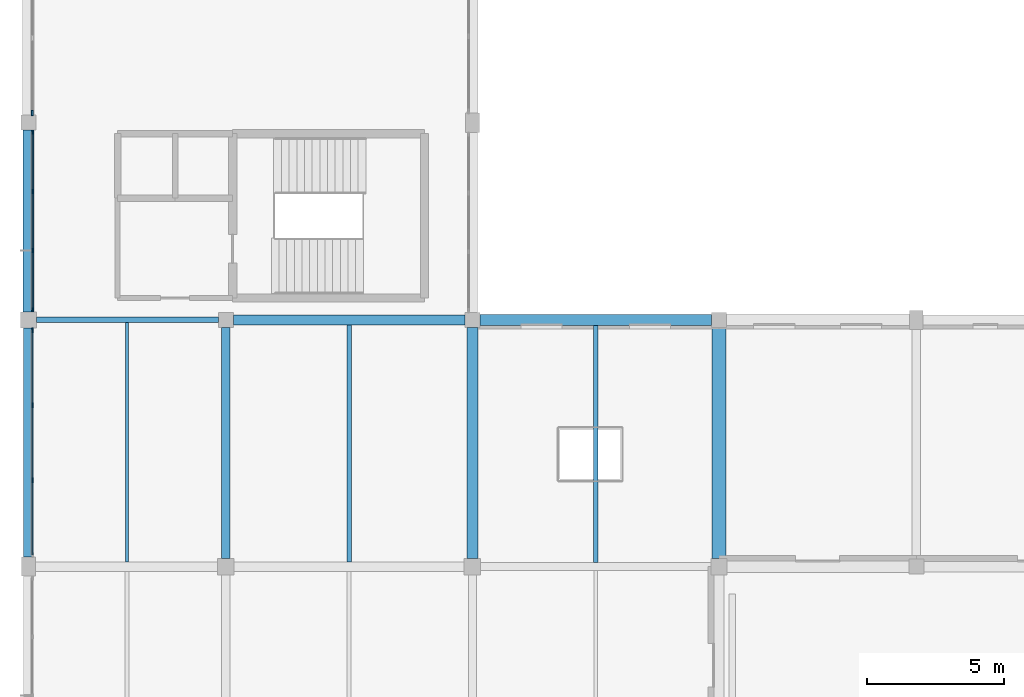
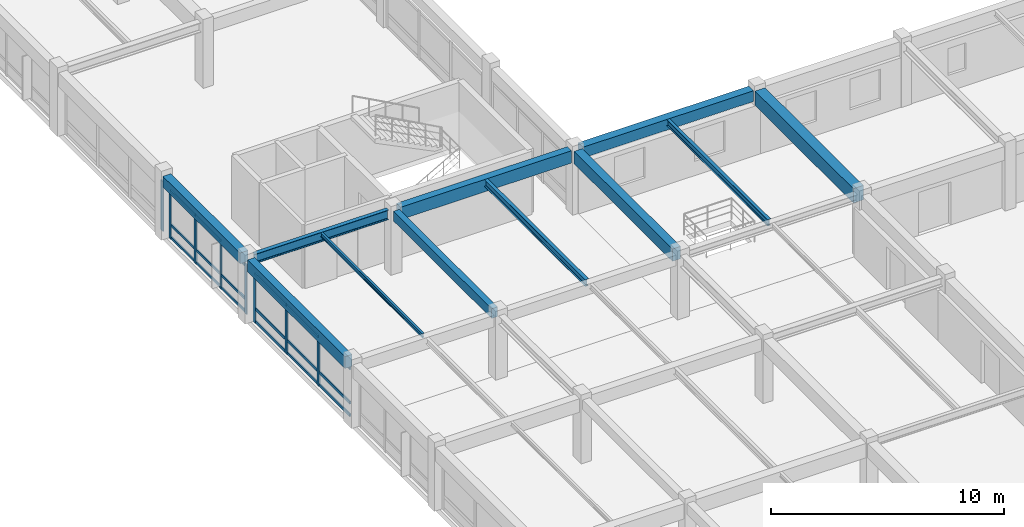
# One storey, part 18 of 74: 26 members, 11 beams, 3 elements without a shape of their own.
"""IFC4 building model written with IfcOpenShell, lengths in metres."""

from ifc_helpers import new_model, si_unit, direction, frame, origin, origin_2d, place, context, subcontext, project, spatial, rectangle, i_section, extrude, material, material_profile, profile_set, type_object, element, aggregate, save


model = new_model("IFC4")

# Units and contexts
model_context = context("Model", 3, precision=1e-05, world=origin(), true_north=direction((0.0, 1.0)))
body_context = subcontext(model_context, "Body", "Model", "MODEL_VIEW")
ifc_project = project(units=[si_unit("LENGTHUNIT", "METRE"), si_unit("AREAUNIT", "SQUARE_METRE"), si_unit("VOLUMEUNIT", "CUBIC_METRE"), si_unit("PLANEANGLEUNIT", "RADIAN"), si_unit("MASSUNIT", "GRAM", prefix="KILO")], contexts=[model_context])

# Site, building, storey
site_placement = place(None, origin())
site = spatial("IfcSite", under=ifc_project, at=site_placement, CompositionType="ELEMENT")
building_placement = place(site_placement, origin())
building = spatial("IfcBuilding", under=site, at=building_placement, Name="Clarverna Civic Hall", CompositionType="ELEMENT")
storey_placement = place(building_placement, frame((0.0, 0.0, 9.60009765625)))
storey = spatial("IfcBuildingStorey", under=building, at=storey_placement, Name="L02", CompositionType="ELEMENT", Elevation=9.60009765625)

# Beams
ifc_material_1 = material(Name="Concrete C35/45", Category="concrete")
ifc_material_profile_1 = material_profile(ifc_material_1, rectangle(XDim=0.300048828125, YDim=0.5, at=origin_2d()), Name="RC 300x500")
ifc_profile_set_1 = profile_set([ifc_material_profile_1], Name="Concrete C35/45")
beam_type_1 = type_object("IfcBeamType", Name="B-RC12", PredefinedType="BEAM", material=ifc_profile_set_1)
beam_1_placement = place(storey_placement, frame((7.199951171875, 62.89990234375, 3.06982421875), z_axis=(0.0, 1.0, 0.0), x_axis=(-1.0, 0.0, 0.0)))
element("IfcBeam", 1, at=beam_1_placement, inside=storey, type_object=beam_type_1, Name="B-RC12-039", PredefinedType="BEAM", context=body_context, shape_type="SweptSolid", body=[
    extrude(rectangle(XDim=0.300048828125, YDim=0.5, at=origin_2d()), origin(), (0.0, 0.0, 1.0), 8.425048828125),
])
ifc_material_profile_2 = material_profile(ifc_material_1, rectangle(XDim=0.5, YDim=0.75, at=origin_2d()), Name="RC 500x750")
ifc_profile_set_2 = profile_set([ifc_material_profile_2], Name="Concrete C35/45")
beam_type_2 = type_object("IfcBeamType", Name="B-RC15", PredefinedType="BEAM", material=ifc_profile_set_2)
beam_2_placement = place(storey_placement, frame((25.199951171875, 62.89990234375, 2.96484375), z_axis=(0.0, 1.0, 0.0), x_axis=(-1.0, 0.0, 0.0)))
element("IfcBeam", 2, at=beam_2_placement, inside=storey, type_object=beam_type_2, Name="B-RC15-039", PredefinedType="BEAM", context=body_context, shape_type="SweptSolid", body=[
    extrude(rectangle(XDim=0.5, YDim=0.75, at=origin_2d()), origin(), (0.0, 0.0, 1.0), 8.425048828125),
])
ifc_material_profile_3 = material_profile(ifc_material_1, rectangle(XDim=0.35009765625, YDim=0.64990234375, at=origin_2d()), Name="RC 350x650")
ifc_profile_set_3 = profile_set([ifc_material_profile_3], Name="Concrete C35/45")
beam_type_3 = type_object("IfcBeamType", Name="B-RC17", PredefinedType="BEAM", material=ifc_profile_set_3)
beam_3_placement = place(storey_placement, frame((7.47509765625, 71.60009765625, 2.994873046875), z_axis=(1.0, 0.0, 0.0), x_axis=(0.0, 1.0, 0.0)))
element("IfcBeam", 3, at=beam_3_placement, inside=storey, type_object=beam_type_3, Name="B-RC17-028", PredefinedType="BEAM", context=body_context, shape_type="SweptSolid", body=[
    extrude(rectangle(XDim=0.35009765625, YDim=0.64990234375, at=origin_2d()), origin(), (0.0, 0.0, 1.0), 8.449951171875),
])
ifc_material_profile_4 = material_profile(ifc_material_1, rectangle(XDim=0.39990234375, YDim=0.64990234375, at=origin_2d()), Name="RC 400x650")
ifc_profile_set_4 = profile_set([ifc_material_profile_4], Name="Concrete C35/45")
beam_type_4 = type_object("IfcBeamType", Name="B-RC6", PredefinedType="BEAM", material=ifc_profile_set_4)
beam_4_placement = place(storey_placement, frame((16.199951171875, 62.89990234375, 2.994873046875), z_axis=(0.0, 1.0, 0.0), x_axis=(-1.0, 0.0, 0.0)))
element("IfcBeam", 4, at=beam_4_placement, inside=storey, type_object=beam_type_4, Name="B-RC6-040", PredefinedType="BEAM", context=body_context, shape_type="SweptSolid", body=[
    extrude(rectangle(XDim=0.39990234375, YDim=0.64990234375, at=origin_2d()), origin(), (0.0, 0.0, 1.0), 8.425048828125),
])
ifc_material_profile_5 = material_profile(ifc_material_1, rectangle(XDim=0.360107421875, YDim=0.6201171875, at=origin_2d()), Name="RC 360x620")
ifc_profile_set_5 = profile_set([ifc_material_profile_5], Name="Concrete C35/45")
beam_type_5 = type_object("IfcBeamType", Name="B-SP3", PredefinedType="SPANDREL", material=ifc_profile_set_5)
beam_5_placement = place(storey_placement, frame((0.0, 62.949951171875, 3.010009765625), z_axis=(0.0, 1.0, 0.0), x_axis=(-1.0, 0.0, 0.0)))
element("IfcBeam", 5, at=beam_5_placement, inside=storey, type_object=beam_type_5, Name="B-SP3-097", PredefinedType="SPANDREL", context=body_context, shape_type="SweptSolid", body=[
    extrude(rectangle(XDim=0.360107421875, YDim=0.6201171875, at=origin_2d()), origin(), (0.0, 0.0, 1.0), 8.35009765625),
])
ifc_material_profile_6 = material_profile(ifc_material_1, rectangle(XDim=0.39990234375, YDim=0.56005859375, at=origin_2d()), Name="RC 400x560")
ifc_profile_set_6 = profile_set([ifc_material_profile_6], Name="Concrete C35/45")
beam_type_6 = type_object("IfcBeamType", Name="B-SP4", PredefinedType="SPANDREL", material=ifc_profile_set_6)
beam_6_placement = place(storey_placement, frame((16.47509765625, 71.60009765625, 3.039794921875), z_axis=(1.0, 0.0, 0.0), x_axis=(0.0, 1.0, 0.0)))
element("IfcBeam", 6, at=beam_6_placement, inside=storey, type_object=beam_type_6, Name="B-SP4-084", PredefinedType="SPANDREL", context=body_context, shape_type="SweptSolid", body=[
    extrude(rectangle(XDim=0.39990234375, YDim=0.56005859375, at=origin_2d()), origin(), (0.0, 0.0, 1.0), 8.449951171875),
])
beam_7_placement = place(storey_placement, frame((0.0, 71.89990234375, 3.039794921875), z_axis=(0.0, 1.0, 0.0), x_axis=(-1.0, 0.0, 0.0)))
element("IfcBeam", 7, at=beam_7_placement, inside=storey, type_object=beam_type_6, Name="B-SP4-096", PredefinedType="SPANDREL", context=body_context, shape_type="SweptSolid", body=[
    extrude(rectangle(XDim=0.39990234375, YDim=0.56005859375, at=origin_2d()), origin(), (0.0, 0.0, 1.0), 6.625),
])
ifc_material_2 = material(Name="Steel S355", Category="steel")
ifc_material_profile_7 = material_profile(ifc_material_2, i_section(OverallWidth=0.199951171875, OverallDepth=0.5, WebThickness=0.01025390625, FlangeThickness=0.01611328125, FilletRadius=0.02099609375, at=origin_2d()), Name="IPE 500")
ifc_profile_set_7 = profile_set([ifc_material_profile_7], Name="Steel S355")
beam_type_7 = type_object("IfcBeamType", Name="B-ST12", PredefinedType="BEAM", material=ifc_profile_set_7)
beam_8_placement = place(storey_placement, frame((0.300048828125, 71.60009765625, 3.06982421875), z_axis=(1.0, 0.0, 0.0), x_axis=(0.0, 1.0, 0.0)))
element("IfcBeam", 8, at=beam_8_placement, inside=storey, type_object=beam_type_7, Name="B-ST12-009", PredefinedType="BEAM", context=body_context, shape_type="SweptSolid", body=[
    extrude(i_section(OverallWidth=0.199951171875, OverallDepth=0.5, WebThickness=0.01025390625, FlangeThickness=0.01611328125, FilletRadius=0.02099609375, at=origin_2d()), origin(), (0.0, 0.0, 1.0), 6.625),
])

# Curtain wall, members
ifc_material_3 = material(Name="Anodised Bronze Architectural Aluminium", Category="aluminium")
curtain_wall_type = type_object("IfcCurtainWallType", Name="CW-01", PredefinedType="USERDEFINED", material=ifc_material_3)
curtain_wall_1_placement = place(storey_placement, origin())
curtain_wall_1 = element("IfcCurtainWall", 9, at=curtain_wall_1_placement, inside=storey, type_object=curtain_wall_type, Name="CW-01-023", ObjectType="UNITISED CURTAIN WALL", PredefinedType="USERDEFINED")
ifc_material_profile_8 = material_profile(ifc_material_3, rectangle(XDim=0.06005859375, YDim=0.179931640625, at=origin_2d()), Name="BRONZE 60x180")
ifc_profile_set_8 = profile_set([ifc_material_profile_8], Name="Anodised Bronze Architectural Aluminium")
member_type_1 = type_object("IfcMemberType", Name="CWM-01", PredefinedType="MULLION", material=ifc_profile_set_8)
member_1_placement = place(storey_placement, frame((0.139892578125, 65.7578125, 0.0), z_axis=(0.0, 0.0, 1.0), x_axis=(1.0, 0.0, 0.0)))
member_1 = element("IfcMember", 10, at=member_1_placement, type_object=member_type_1, Name="CWM-01-075", PredefinedType="MULLION", context=body_context, shape_type="SweptSolid", body=[
    extrude(rectangle(XDim=0.06005859375, YDim=0.179931640625, at=origin_2d()), origin(), (0.0, 0.0, 1.0), 2.639892578125),
])
member_2_placement = place(storey_placement, frame((0.139892578125, 68.4921875, 0.0), z_axis=(0.0, 0.0, 1.0), x_axis=(1.0, 0.0, 0.0)))
member_2 = element("IfcMember", 11, at=member_2_placement, type_object=member_type_1, Name="CWM-01-076", PredefinedType="MULLION", context=body_context, shape_type="SweptSolid", body=[
    extrude(rectangle(XDim=0.06005859375, YDim=0.179931640625, at=origin_2d()), origin(), (0.0, 0.0, 1.0), 2.639892578125),
])
member_3_placement = place(storey_placement, frame((0.139892578125, 71.22705078125, 0.0), z_axis=(0.0, 0.0, 1.0), x_axis=(1.0, 0.0, 0.0)))
member_3 = element("IfcMember", 12, at=member_3_placement, type_object=member_type_1, Name="CWM-01-077", PredefinedType="MULLION", context=body_context, shape_type="SweptSolid", body=[
    extrude(rectangle(XDim=0.06005859375, YDim=0.179931640625, at=origin_2d()), origin(), (0.0, 0.0, 1.0), 2.639892578125),
])

curtain_wall_2_placement = place(storey_placement, origin())
curtain_wall_2 = element("IfcCurtainWall", 13, at=curtain_wall_2_placement, inside=storey, type_object=curtain_wall_type, Name="CW-01-024", ObjectType="UNITISED CURTAIN WALL", PredefinedType="USERDEFINED")
ifc_material_profile_9 = material_profile(ifc_material_3, rectangle(XDim=0.06005859375, YDim=0.159912109375, at=origin_2d()), Name="BRONZE 60x160")
ifc_profile_set_9 = profile_set([ifc_material_profile_9], Name="Anodised Bronze Architectural Aluminium")
member_type_2 = type_object("IfcMemberType", Name="CWM-02", PredefinedType="MULLION", material=ifc_profile_set_9)
member_4_placement = place(storey_placement, frame((0.139892578125, 71.972900390625, 0.0), z_axis=(0.0, 0.0, 1.0), x_axis=(1.0, 0.0, 0.0)))
member_4 = element("IfcMember", 14, at=member_4_placement, type_object=member_type_2, Name="CWM-02-087", PredefinedType="MULLION", context=body_context, shape_type="SweptSolid", body=[
    extrude(rectangle(XDim=0.06005859375, YDim=0.159912109375, at=origin_2d()), origin(), (0.0, 0.0, 1.0), 2.599853515625),
])
member_5_placement = place(storey_placement, frame((0.139892578125, 74.1328125, 0.0), z_axis=(0.0, 0.0, 1.0), x_axis=(1.0, 0.0, 0.0)))
member_5 = element("IfcMember", 15, at=member_5_placement, type_object=member_type_2, Name="CWM-02-088", PredefinedType="MULLION", context=body_context, shape_type="SweptSolid", body=[
    extrude(rectangle(XDim=0.06005859375, YDim=0.159912109375, at=origin_2d()), origin(), (0.0, 0.0, 1.0), 2.599853515625),
])
member_6_placement = place(storey_placement, frame((0.139892578125, 76.292236328125, 0.0), z_axis=(0.0, 0.0, 1.0), x_axis=(1.0, 0.0, 0.0)))
member_6 = element("IfcMember", 16, at=member_6_placement, type_object=member_type_2, Name="CWM-02-089", PredefinedType="MULLION", context=body_context, shape_type="SweptSolid", body=[
    extrude(rectangle(XDim=0.06005859375, YDim=0.159912109375, at=origin_2d()), origin(), (0.0, 0.0, 1.0), 2.599853515625),
])
member_7_placement = place(storey_placement, frame((0.139892578125, 78.451904296875, 0.0), z_axis=(0.0, 0.0, 1.0), x_axis=(1.0, 0.0, 0.0)))
member_7 = element("IfcMember", 17, at=member_7_placement, type_object=member_type_2, Name="CWM-02-090", PredefinedType="MULLION", context=body_context, shape_type="SweptSolid", body=[
    extrude(rectangle(XDim=0.06005859375, YDim=0.159912109375, at=origin_2d()), origin(), (0.0, 0.0, 1.0), 2.599853515625),
])

# Curtain wall, member
curtain_wall_3_placement = place(storey_placement, origin())
curtain_wall_3 = element("IfcCurtainWall", 18, at=curtain_wall_3_placement, inside=storey, type_object=curtain_wall_type, Name="CW-01-025", ObjectType="UNITISED CURTAIN WALL", PredefinedType="USERDEFINED")
ifc_material_profile_10 = material_profile(ifc_material_3, rectangle(XDim=0.06494140625, YDim=0.199951171875, at=origin_2d()), Name="BRONZE 65x200")
ifc_profile_set_10 = profile_set([ifc_material_profile_10], Name="Anodised Bronze Architectural Aluminium")
member_type_3 = type_object("IfcMemberType", Name="CWM-03", PredefinedType="MULLION", material=ifc_profile_set_10)
member_8_placement = place(storey_placement, frame((0.139892578125, 79.14794921875, 0.0), z_axis=(0.0, 0.0, 1.0), x_axis=(1.0, 0.0, 0.0)))
member_8 = element("IfcMember", 19, at=member_8_placement, type_object=member_type_3, Name="CWM-03-075", PredefinedType="MULLION", context=body_context, shape_type="SweptSolid", body=[
    extrude(rectangle(XDim=0.06494140625, YDim=0.199951171875, at=origin_2d()), origin(), (0.0, 0.0, 1.0), 2.599853515625),
])
aggregate(curtain_wall_3, [member_8])

# Member
ifc_material_profile_11 = material_profile(ifc_material_3, rectangle(XDim=0.06005859375, YDim=0.14990234375, at=origin_2d()), Name="BRONZE 60x150")
ifc_profile_set_11 = profile_set([ifc_material_profile_11], Name="Anodised Bronze Architectural Aluminium")
member_type_4 = type_object("IfcMemberType", Name="CWT-01", PredefinedType="USERDEFINED", material=ifc_profile_set_11)
member_9_placement = place(storey_placement, frame((0.139892578125, 63.0380859375, 0.094970703125), z_axis=(0.0, 1.0, 0.0), x_axis=(-1.0, 0.0, 0.0)))
member_9 = element("IfcMember", 20, at=member_9_placement, type_object=member_type_4, Name="CWT-01-154", ObjectType="TRANSOM", PredefinedType="USERDEFINED", context=body_context, shape_type="SweptSolid", body=[
    extrude(rectangle(XDim=0.06005859375, YDim=0.14990234375, at=origin_2d()), origin(), (0.0, 0.0, 1.0), 2.70458984375),
])

member_10_placement = place(storey_placement, frame((0.139892578125, 63.0380859375, 0.75), z_axis=(0.0, 1.0, 0.0), x_axis=(-1.0, 0.0, 0.0)))
member_10 = element("IfcMember", 21, at=member_10_placement, type_object=member_type_4, Name="CWT-01-155", ObjectType="TRANSOM", PredefinedType="USERDEFINED", context=body_context, shape_type="SweptSolid", body=[
    extrude(rectangle(XDim=0.06005859375, YDim=0.14990234375, at=origin_2d()), origin(), (0.0, 0.0, 1.0), 2.70458984375),
])

member_11_placement = place(storey_placement, frame((0.139892578125, 63.0380859375, 2.544921875), z_axis=(0.0, 1.0, 0.0), x_axis=(-1.0, 0.0, 0.0)))
member_11 = element("IfcMember", 22, at=member_11_placement, type_object=member_type_4, Name="CWT-01-156", ObjectType="TRANSOM", PredefinedType="USERDEFINED", context=body_context, shape_type="SweptSolid", body=[
    extrude(rectangle(XDim=0.06005859375, YDim=0.14990234375, at=origin_2d()), origin(), (0.0, 0.0, 1.0), 2.70458984375),
])

member_12_placement = place(storey_placement, frame((0.139892578125, 65.772705078125, 0.094970703125), z_axis=(0.0, 1.0, 0.0), x_axis=(-1.0, 0.0, 0.0)))
member_12 = element("IfcMember", 23, at=member_12_placement, type_object=member_type_4, Name="CWT-01-157", ObjectType="TRANSOM", PredefinedType="USERDEFINED", context=body_context, shape_type="SweptSolid", body=[
    extrude(rectangle(XDim=0.06005859375, YDim=0.14990234375, at=origin_2d()), origin(), (0.0, 0.0, 1.0), 2.70458984375),
])

member_13_placement = place(storey_placement, frame((0.139892578125, 65.772705078125, 0.75), z_axis=(0.0, 1.0, 0.0), x_axis=(-1.0, 0.0, 0.0)))
member_13 = element("IfcMember", 24, at=member_13_placement, type_object=member_type_4, Name="CWT-01-158", ObjectType="TRANSOM", PredefinedType="USERDEFINED", context=body_context, shape_type="SweptSolid", body=[
    extrude(rectangle(XDim=0.06005859375, YDim=0.14990234375, at=origin_2d()), origin(), (0.0, 0.0, 1.0), 2.70458984375),
])

member_14_placement = place(storey_placement, frame((0.139892578125, 65.772705078125, 2.544921875), z_axis=(0.0, 1.0, 0.0), x_axis=(-1.0, 0.0, 0.0)))
member_14 = element("IfcMember", 25, at=member_14_placement, type_object=member_type_4, Name="CWT-01-159", ObjectType="TRANSOM", PredefinedType="USERDEFINED", context=body_context, shape_type="SweptSolid", body=[
    extrude(rectangle(XDim=0.06005859375, YDim=0.14990234375, at=origin_2d()), origin(), (0.0, 0.0, 1.0), 2.70458984375),
])

member_15_placement = place(storey_placement, frame((0.139892578125, 68.50732421875, 0.094970703125), z_axis=(0.0, 1.0, 0.0), x_axis=(-1.0, 0.0, 0.0)))
member_15 = element("IfcMember", 26, at=member_15_placement, type_object=member_type_4, Name="CWT-01-160", ObjectType="TRANSOM", PredefinedType="USERDEFINED", context=body_context, shape_type="SweptSolid", body=[
    extrude(rectangle(XDim=0.06005859375, YDim=0.14990234375, at=origin_2d()), origin(), (0.0, 0.0, 1.0), 2.70458984375),
])

member_16_placement = place(storey_placement, frame((0.139892578125, 68.50732421875, 0.75), z_axis=(0.0, 1.0, 0.0), x_axis=(-1.0, 0.0, 0.0)))
member_16 = element("IfcMember", 27, at=member_16_placement, type_object=member_type_4, Name="CWT-01-161", ObjectType="TRANSOM", PredefinedType="USERDEFINED", context=body_context, shape_type="SweptSolid", body=[
    extrude(rectangle(XDim=0.06005859375, YDim=0.14990234375, at=origin_2d()), origin(), (0.0, 0.0, 1.0), 2.70458984375),
])

member_17_placement = place(storey_placement, frame((0.139892578125, 68.50732421875, 2.544921875), z_axis=(0.0, 1.0, 0.0), x_axis=(-1.0, 0.0, 0.0)))
member_17 = element("IfcMember", 28, at=member_17_placement, type_object=member_type_4, Name="CWT-01-162", ObjectType="TRANSOM", PredefinedType="USERDEFINED", context=body_context, shape_type="SweptSolid", body=[
    extrude(rectangle(XDim=0.06005859375, YDim=0.14990234375, at=origin_2d()), origin(), (0.0, 0.0, 1.0), 2.70458984375),
])

aggregate(curtain_wall_1, [member_1, member_2, member_3, member_9, member_10, member_11, member_12, member_13, member_14, member_15, member_16, member_17])

ifc_material_profile_12 = material_profile(ifc_material_3, rectangle(XDim=0.06005859375, YDim=0.1298828125, at=origin_2d()), Name="BRONZE 60x130")
ifc_profile_set_12 = profile_set([ifc_material_profile_12], Name="Anodised Bronze Architectural Aluminium")
member_type_5 = type_object("IfcMemberType", Name="CWT-02", PredefinedType="USERDEFINED", material=ifc_profile_set_12)
member_18_placement = place(storey_placement, frame((0.139892578125, 71.988037109375, 0.094970703125), z_axis=(0.0, 1.0, 0.0), x_axis=(-1.0, 0.0, 0.0)))
member_18 = element("IfcMember", 29, at=member_18_placement, type_object=member_type_5, Name="CWT-02-181", ObjectType="TRANSOM", PredefinedType="USERDEFINED", context=body_context, shape_type="SweptSolid", body=[
    extrude(rectangle(XDim=0.06005859375, YDim=0.1298828125, at=origin_2d()), origin(), (0.0, 0.0, 1.0), 2.129638671875),
])

member_19_placement = place(storey_placement, frame((0.139892578125, 71.988037109375, 0.75), z_axis=(0.0, 1.0, 0.0), x_axis=(-1.0, 0.0, 0.0)))
member_19 = element("IfcMember", 30, at=member_19_placement, type_object=member_type_5, Name="CWT-02-182", ObjectType="TRANSOM", PredefinedType="USERDEFINED", context=body_context, shape_type="SweptSolid", body=[
    extrude(rectangle(XDim=0.06005859375, YDim=0.1298828125, at=origin_2d()), origin(), (0.0, 0.0, 1.0), 2.129638671875),
])

member_20_placement = place(storey_placement, frame((0.139892578125, 71.988037109375, 2.5048828125), z_axis=(0.0, 1.0, 0.0), x_axis=(-1.0, 0.0, 0.0)))
member_20 = element("IfcMember", 31, at=member_20_placement, type_object=member_type_5, Name="CWT-02-183", ObjectType="TRANSOM", PredefinedType="USERDEFINED", context=body_context, shape_type="SweptSolid", body=[
    extrude(rectangle(XDim=0.06005859375, YDim=0.1298828125, at=origin_2d()), origin(), (0.0, 0.0, 1.0), 2.129638671875),
])

member_21_placement = place(storey_placement, frame((0.139892578125, 74.147705078125, 0.094970703125), z_axis=(0.0, 1.0, 0.0), x_axis=(-1.0, 0.0, 0.0)))
member_21 = element("IfcMember", 32, at=member_21_placement, type_object=member_type_5, Name="CWT-02-184", ObjectType="TRANSOM", PredefinedType="USERDEFINED", context=body_context, shape_type="SweptSolid", body=[
    extrude(rectangle(XDim=0.06005859375, YDim=0.1298828125, at=origin_2d()), origin(), (0.0, 0.0, 1.0), 2.129638671875),
])

member_22_placement = place(storey_placement, frame((0.139892578125, 74.147705078125, 0.75), z_axis=(0.0, 1.0, 0.0), x_axis=(-1.0, 0.0, 0.0)))
member_22 = element("IfcMember", 33, at=member_22_placement, type_object=member_type_5, Name="CWT-02-185", ObjectType="TRANSOM", PredefinedType="USERDEFINED", context=body_context, shape_type="SweptSolid", body=[
    extrude(rectangle(XDim=0.06005859375, YDim=0.1298828125, at=origin_2d()), origin(), (0.0, 0.0, 1.0), 2.129638671875),
])

member_23_placement = place(storey_placement, frame((0.139892578125, 74.147705078125, 2.5048828125), z_axis=(0.0, 1.0, 0.0), x_axis=(-1.0, 0.0, 0.0)))
member_23 = element("IfcMember", 34, at=member_23_placement, type_object=member_type_5, Name="CWT-02-186", ObjectType="TRANSOM", PredefinedType="USERDEFINED", context=body_context, shape_type="SweptSolid", body=[
    extrude(rectangle(XDim=0.06005859375, YDim=0.1298828125, at=origin_2d()), origin(), (0.0, 0.0, 1.0), 2.129638671875),
])

member_24_placement = place(storey_placement, frame((0.139892578125, 76.307373046875, 0.094970703125), z_axis=(0.0, 1.0, 0.0), x_axis=(-1.0, 0.0, 0.0)))
member_24 = element("IfcMember", 35, at=member_24_placement, type_object=member_type_5, Name="CWT-02-187", ObjectType="TRANSOM", PredefinedType="USERDEFINED", context=body_context, shape_type="SweptSolid", body=[
    extrude(rectangle(XDim=0.06005859375, YDim=0.1298828125, at=origin_2d()), origin(), (0.0, 0.0, 1.0), 2.129638671875),
])

member_25_placement = place(storey_placement, frame((0.139892578125, 76.307373046875, 0.75), z_axis=(0.0, 1.0, 0.0), x_axis=(-1.0, 0.0, 0.0)))
member_25 = element("IfcMember", 36, at=member_25_placement, type_object=member_type_5, Name="CWT-02-188", ObjectType="TRANSOM", PredefinedType="USERDEFINED", context=body_context, shape_type="SweptSolid", body=[
    extrude(rectangle(XDim=0.06005859375, YDim=0.1298828125, at=origin_2d()), origin(), (0.0, 0.0, 1.0), 2.129638671875),
])

member_26_placement = place(storey_placement, frame((0.139892578125, 76.307373046875, 2.5048828125), z_axis=(0.0, 1.0, 0.0), x_axis=(-1.0, 0.0, 0.0)))
member_26 = element("IfcMember", 37, at=member_26_placement, type_object=member_type_5, Name="CWT-02-189", ObjectType="TRANSOM", PredefinedType="USERDEFINED", context=body_context, shape_type="SweptSolid", body=[
    extrude(rectangle(XDim=0.06005859375, YDim=0.1298828125, at=origin_2d()), origin(), (0.0, 0.0, 1.0), 2.129638671875),
])

aggregate(curtain_wall_2, [member_4, member_5, member_6, member_7, member_18, member_19, member_20, member_21, member_22, member_23, member_24, member_25, member_26])

# Beams
ifc_material_profile_13 = material_profile(ifc_material_2, i_section(OverallWidth=0.169921875, OverallDepth=0.360107421875, WebThickness=0.008056640625, FlangeThickness=0.0126953125, FilletRadius=0.01806640625, at=origin_2d()), Name="IPE 360")
ifc_profile_set_13 = profile_set([ifc_material_profile_13], Name="Steel S355")
beam_type_8 = type_object("IfcBeamType", Name="J-ST1", PredefinedType="JOIST", material=ifc_profile_set_13)
beam_9_placement = place(storey_placement, frame((11.699951171875, 62.77490234375, 3.139892578125), z_axis=(0.0, 1.0, 0.0), x_axis=(-1.0, 0.0, 0.0)))
element("IfcBeam", 38, at=beam_9_placement, inside=storey, type_object=beam_type_8, Name="J-ST1-052", PredefinedType="JOIST", context=body_context, shape_type="SweptSolid", body=[
    extrude(i_section(OverallWidth=0.169921875, OverallDepth=0.360107421875, WebThickness=0.008056640625, FlangeThickness=0.0126953125, FilletRadius=0.01806640625, at=origin_2d()), origin(), (0.0, 0.0, 1.0), 8.650146484375),
])
ifc_material_profile_14 = material_profile(ifc_material_2, i_section(OverallWidth=0.159912109375, OverallDepth=0.330078125, WebThickness=0.007568359375, FlangeThickness=0.011474609375, FilletRadius=0.01806640625, at=origin_2d()), Name="IPE 330")
ifc_profile_set_14 = profile_set([ifc_material_profile_14], Name="Steel S355")
beam_type_9 = type_object("IfcBeamType", Name="J-ST2", PredefinedType="JOIST", material=ifc_profile_set_14)
beam_10_placement = place(storey_placement, frame((20.699951171875, 62.75, 3.15478515625), z_axis=(0.0, 1.0, 0.0), x_axis=(-1.0, 0.0, 0.0)))
element("IfcBeam", 39, at=beam_10_placement, inside=storey, type_object=beam_type_9, Name="J-ST2-052", PredefinedType="JOIST", context=body_context, shape_type="SweptSolid", body=[
    extrude(i_section(OverallWidth=0.159912109375, OverallDepth=0.330078125, WebThickness=0.007568359375, FlangeThickness=0.011474609375, FilletRadius=0.01806640625, at=origin_2d()), origin(), (0.0, 0.0, 1.0), 8.64990234375),
])
ifc_material_profile_15 = material_profile(ifc_material_2, i_section(OverallWidth=0.110107421875, OverallDepth=0.219970703125, WebThickness=0.005859375, FlangeThickness=0.00927734375, FilletRadius=0.011962890625, at=origin_2d()), Name="IPE 220")
ifc_profile_set_15 = profile_set([ifc_material_profile_15], Name="Steel S355")
beam_type_10 = type_object("IfcBeamType", Name="J-ST6", PredefinedType="JOIST", material=ifc_profile_set_15)
beam_11_placement = place(storey_placement, frame((3.60009765625, 62.77490234375, 3.2099609375), z_axis=(0.0, 1.0, 0.0), x_axis=(-1.0, 0.0, 0.0)))
element("IfcBeam", 40, at=beam_11_placement, inside=storey, type_object=beam_type_10, Name="J-ST6-052", PredefinedType="JOIST", context=body_context, shape_type="SweptSolid", body=[
    extrude(i_section(OverallWidth=0.110107421875, OverallDepth=0.219970703125, WebThickness=0.005859375, FlangeThickness=0.00927734375, FilletRadius=0.011962890625, at=origin_2d()), origin(), (0.0, 0.0, 1.0), 8.72509765625),
])

save(model, "model.ifc")
